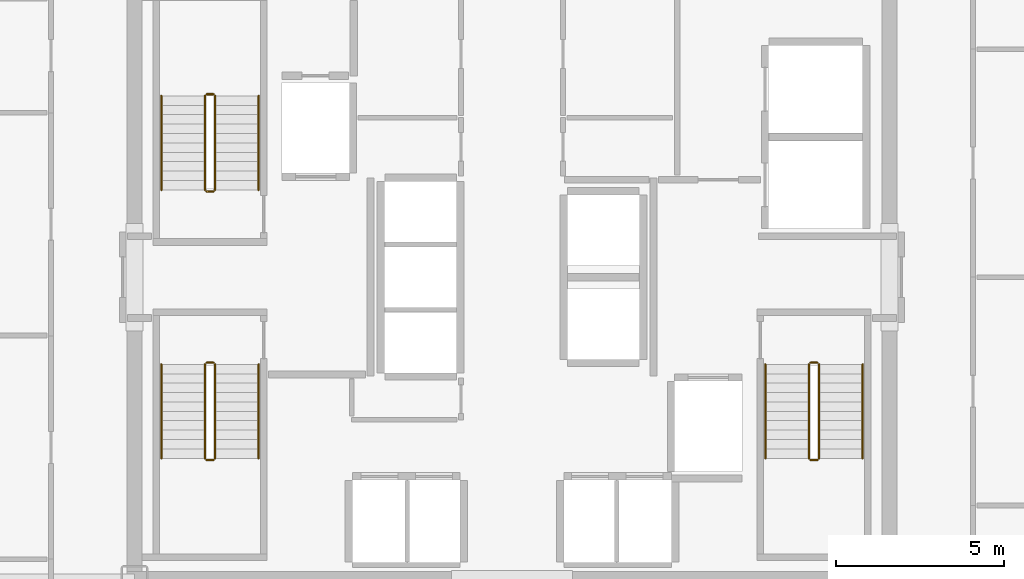
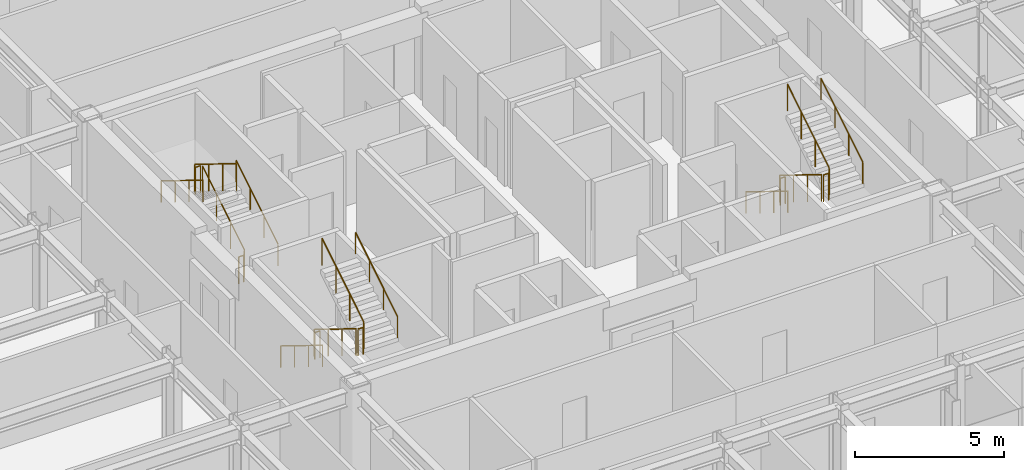
# One storey, part 21 of 21: 18 railings.
"""IFC4 building model written with IfcOpenShell, lengths in metres."""

import ifcopenshell
import ifcopenshell.guid

model = None  # the IFC model being written
_history = None  # IfcOwnerHistory: only IFC2X3 demands one
_inside = {}  # id of a spatial element -> (the spatial element, [elements in it])
_under = {}  # id of a project, library or spatial element -> (it, [spatial elements below it])
_declared = {}  # id of a project -> (the project, [libraries it declares])
_typed = {}  # id of a type object -> (the type object, [elements of that type])
_made_of = {}  # id of a material, layer set ... -> (it, [elements and type objects made of it])


def new_model(schema):
    """Start an empty IFC model of exactly this schema.

    Asked for "IFC4X3", IfcOpenShell would pick the latest addendum, in which some entities
    have other attributes; the version numbers below select the first issue.
    IFC2X3 requires an IfcOwnerHistory on every rooted entity: one is made here for all.
    """
    global model, _history
    if schema == "IFC4X3":
        model = ifcopenshell.file(schema_version=(4, 3, 0, 0))
    else:
        model = ifcopenshell.file(schema=schema)
    _inside.clear()
    _under.clear()
    _declared.clear()
    _typed.clear()
    _made_of.clear()
    _history = None
    if model.schema == "IFC2X3":
        org = make("IfcOrganization", Name="unknown")
        user = make(
            "IfcPersonAndOrganization",
            ThePerson=make("IfcPerson", FamilyName="unknown"),
            TheOrganization=org,
        )
        app = make(
            "IfcApplication",
            ApplicationDeveloper=org,
            Version="unknown",
            ApplicationFullName="unknown",
            ApplicationIdentifier="unknown",
        )
        _history = make(
            "IfcOwnerHistory",
            OwningUser=user,
            OwningApplication=app,
            ChangeAction="ADDED",
            CreationDate=0,
        )
    return model


def make(cls, **values):
    """One entity of the class cls with the attributes given. An attribute that is None is left unset."""
    return model.create_entity(
        cls, **{name: value for name, value in values.items() if value is not None}
    )


def rooted(cls, **values):
    """An entity with a GlobalId (a new one), such as an element, a storey or a relation."""
    return make(cls, GlobalId=ifcopenshell.guid.new(), OwnerHistory=_history, **values)


def si_unit(unit_type, name, prefix=None):
    """IfcSIUnit, for example si_unit("LENGTHUNIT", "METRE", prefix="MILLI")."""
    return make("IfcSIUnit", UnitType=unit_type, Prefix=prefix, Name=name)


def assignment(units):
    """IfcUnitAssignment: the units of a project."""
    return None if units is None else make("IfcUnitAssignment", Units=units)


def point(xyz):
    """IfcCartesianPoint."""
    return None if xyz is None else make("IfcCartesianPoint", Coordinates=xyz)


def direction(xyz):
    """IfcDirection."""
    return None if xyz is None else make("IfcDirection", DirectionRatios=xyz)


def frame(location, z_axis=None, x_axis=None):
    """IfcAxis2Placement3D, a coordinate frame: its origin and axes. An axis left out is left unset."""
    return make(
        "IfcAxis2Placement3D",
        Location=point(location),
        Axis=direction(z_axis),
        RefDirection=direction(x_axis),
    )


def frame_2d(location, x_axis=None):
    """IfcAxis2Placement2D, a coordinate frame in the plane: its origin and x axis."""
    return make(
        "IfcAxis2Placement2D", Location=point(location), RefDirection=direction(x_axis)
    )


def origin():
    """The frame at (0, 0, 0) with its axes left unset."""
    return frame((0.0, 0.0, 0.0))


def origin_2d():
    """The frame at (0, 0) in the plane with its x axis left unset."""
    return frame_2d((0.0, 0.0))


def place(relative_to, where):
    """IfcLocalPlacement: puts the frame where relative to a parent placement (None: the world)."""
    return make(
        "IfcLocalPlacement", PlacementRelTo=relative_to, RelativePlacement=where
    )


def context(
    kind, dimensions, precision=None, world=None, true_north=None, identifier=None
):
    """IfcGeometricRepresentationContext, for example the 3D "Model" context."""
    return make(
        "IfcGeometricRepresentationContext",
        ContextIdentifier=identifier,
        ContextType=kind,
        CoordinateSpaceDimension=dimensions,
        Precision=precision,
        WorldCoordinateSystem=world,
        TrueNorth=true_north,
    )


def subcontext(parent, identifier, kind, view, scale=None):
    """IfcGeometricRepresentationSubContext, for example "Body" below "Model"."""
    return make(
        "IfcGeometricRepresentationSubContext",
        ContextIdentifier=identifier,
        ContextType=kind,
        ParentContext=parent,
        TargetScale=scale,
        TargetView=view,
    )


def project(units=None, contexts=None):
    """IfcProject with its units and contexts."""
    return rooted(
        "IfcProject",
        Name="project",
        RepresentationContexts=contexts,
        UnitsInContext=assignment(units),
    )


def spatial(cls, under=None, at=None, **own):
    """A site, building, storey or space (cls), placed at a placement, below another one or the project."""
    s = rooted(cls, ObjectPlacement=at, **own)
    if under is not None:
        _under.setdefault(under.id(), (under, []))[1].append(s)
    return s


def profile(cls, at=None, kind="AREA", **sizes):
    """A parametric profile (cls). Its sizes go by their IFC names, for example OverallWidth=200.0."""
    return make(cls, ProfileType=kind, Position=at, **sizes)


def circle(**sizes):
    """IfcCircleProfileDef."""
    return profile("IfcCircleProfileDef", **sizes)


def extrude(swept, where, along, depth):
    """IfcExtrudedAreaSolid: the profile swept, set in the frame where, extruded along a direction by depth."""
    return make(
        "IfcExtrudedAreaSolid",
        SweptArea=swept,
        Position=where,
        ExtrudedDirection=direction(along),
        Depth=depth,
    )


def shape(context_of_items, identifier, shape_type, items):
    """IfcShapeRepresentation: the items that make up one representation, for example the "Body"."""
    return make(
        "IfcShapeRepresentation",
        ContextOfItems=context_of_items,
        RepresentationIdentifier=identifier,
        RepresentationType=shape_type,
        Items=items,
    )


def material(Name=None, Category=None):
    """IfcMaterial."""
    return make("IfcMaterial", Name=Name, Category=Category)


def made_of(thing, what):
    """Note that an element or type object is made of a material, layer set ...; save() writes the relation."""
    if what is not None:
        _made_of.setdefault(what.id(), (what, []))[1].append(thing)
    return thing


def type_object(cls, material=None, **own):
    """A type object (cls), such as IfcWallType, which elements share."""
    return made_of(rooted(cls, **own), material)


def element(
    cls,
    number,
    at=None,
    inside=None,
    cuts=None,
    type_object=None,
    material=None,
    context=None,
    identifier="Body",
    shape_type=None,
    held_by="IfcProductDefinitionShape",
    body=None,
    shapes=None,
    **own,
):
    """One element of the class cls, such as IfcWall. Its Tag is "e" and its number.

    at: its placement. inside: the storey or other place that contains it. cuts: it is an
    opening in that element (IfcRelVoidsElement). A single representation is given by context,
    identifier, shape_type and body (its items); several are given by shapes. held_by: the class
    of the entity that holds the representations. save() writes the other relations.
    """
    e = rooted(cls, Tag="e%d" % number, ObjectPlacement=at, **own)
    if body is not None:
        shapes = [shape(context, identifier, shape_type, body)]
    if shapes is not None:
        e.Representation = make(held_by, Representations=shapes)
    if inside is not None:
        _inside.setdefault(inside.id(), (inside, []))[1].append(e)
    if cuts is not None:
        rooted(
            "IfcRelVoidsElement", RelatingBuildingElement=cuts, RelatedOpeningElement=e
        )
    if type_object is not None:
        _typed.setdefault(type_object.id(), (type_object, []))[1].append(e)
    return made_of(e, material)


def aggregate(whole, parts):
    """IfcRelAggregates: a whole, such as a stair, and the parts it consists of."""
    return rooted("IfcRelAggregates", RelatingObject=whole, RelatedObjects=parts)


def save(model, path):
    """Write the relations noted so far, then the file.

    IfcRelAggregates (storeys below a building ...), IfcRelContainedInSpatialStructure (elements
    in a storey), IfcRelDefinesByType, IfcRelAssociatesMaterial and IfcRelDeclares: one each for
    every whole, place, type object, material and project.
    """
    for whole, parts in _under.values():
        aggregate(whole, parts)
    for where, things in _inside.values():
        rooted(
            "IfcRelContainedInSpatialStructure",
            RelatedElements=things,
            RelatingStructure=where,
        )
    for kind, things in _typed.values():
        rooted("IfcRelDefinesByType", RelatedObjects=things, RelatingType=kind)
    for what, things in _made_of.values():
        rooted("IfcRelAssociatesMaterial", RelatedObjects=things, RelatingMaterial=what)
    for by, libraries in _declared.values():
        rooted("IfcRelDeclares", RelatingContext=by, RelatedDefinitions=libraries)
    model.write(path)


model = new_model("IFC4")

# Units and contexts
model_context = context("Model", 3, precision=1e-05, world=origin(), true_north=direction((0.0, 1.0)))
body_context = subcontext(model_context, "Body", "Model", "MODEL_VIEW")
ifc_project = project(units=[si_unit("LENGTHUNIT", "METRE"), si_unit("AREAUNIT", "SQUARE_METRE"), si_unit("VOLUMEUNIT", "CUBIC_METRE"), si_unit("PLANEANGLEUNIT", "RADIAN"), si_unit("MASSUNIT", "GRAM", prefix="KILO")], contexts=[model_context])

# Site, building, storey
site_placement = place(None, origin())
site = spatial("IfcSite", under=ifc_project, at=site_placement, CompositionType="ELEMENT")
building_placement = place(site_placement, origin())
building = spatial("IfcBuilding", under=site, at=building_placement, Name="Nefas-Gora Pilgrimage Tower", CompositionType="ELEMENT")
storey_placement = place(building_placement, frame((0.0, 0.0, 206.60009765625)))
storey = spatial("IfcBuildingStorey", under=building, at=storey_placement, Name="L51", CompositionType="ELEMENT", Elevation=206.60009765625)

# Railings
ifc_material_1 = material(Name="Painted galvanised steel", Category="steel")
railing_type_1 = type_object("IfcRailingType", Name="RLG-STR-GUARD-1100", PredefinedType="GUARDRAIL", material=ifc_material_1)
railing_1_placement = place(storey_placement, frame((-8.85009765625, 2.60009765625, 0.172607421875)))
element("IfcRailing", 1, at=railing_1_placement, inside=storey, type_object=railing_type_1, Name="L51 ST-01 stair guard 1", PredefinedType="GUARDRAIL", context=body_context, shape_type="SweptSolid", body=[
    extrude(circle(Radius=0.02392578125, at=origin_2d()), frame((0.0, 0.0, 1.09619140625), z_axis=(0.0, 0.851069175582, 0.525053576669), x_axis=(-1.0, 0.0, 0.0)), (0.0, 0.0, 1.0), 3.289794921875),
    extrude(circle(Radius=0.02099609375, at=origin_2d()), origin(), (0.0, 0.0, 1.0), 1.072021484375),
    extrude(circle(Radius=0.02099609375, at=origin_2d()), frame((0.0, 0.933349609375, 0.57568359375)), (0.0, 0.0, 1.0), 1.072021484375),
    extrude(circle(Radius=0.02099609375, at=origin_2d()), frame((0.0, 1.866455078125, 1.151611328125)), (0.0, 0.0, 1.0), 1.072021484375),
    extrude(circle(Radius=0.02099609375, at=origin_2d()), frame((0.0, 2.7998046875, 1.727294921875)), (0.0, 0.0, 1.0), 1.072021484375),
])
railing_2_placement = place(storey_placement, frame((-8.89990234375, 5.449951171875, 1.89990234375)))
element("IfcRailing", 2, at=railing_2_placement, inside=storey, type_object=railing_type_1, Name="L51 ST-01 stair guard 2", PredefinedType="GUARDRAIL", context=body_context, shape_type="SweptSolid", body=[
    extrude(circle(Radius=0.02392578125, at=origin_2d()), frame((0.0, 0.0, 1.09619140625), z_axis=(-1.0, 0.0, 0.0), x_axis=(0.0, -1.0, 0.0)), (0.0, 0.0, 1.0), 0.2001953125),
    extrude(circle(Radius=0.02099609375, at=origin_2d()), origin(), (0.0, 0.0, 1.0), 1.072021484375),
    extrude(circle(Radius=0.02099609375, at=origin_2d()), frame((-0.2001953125, 0.0, 0.0)), (0.0, 0.0, 1.0), 1.072021484375),
])
railing_3_placement = place(storey_placement, frame((-9.14990234375, 5.39990234375, 2.072509765625)))
element("IfcRailing", 3, at=railing_3_placement, inside=storey, type_object=railing_type_1, Name="L51 ST-01 stair guard 3", PredefinedType="GUARDRAIL", context=body_context, shape_type="SweptSolid", body=[
    extrude(circle(Radius=0.02392578125, at=origin_2d()), frame((0.0, 0.0, 1.09619140625), z_axis=(0.0, -0.851069175582, 0.525053576669), x_axis=(1.0, 0.0, 0.0)), (0.0, 0.0, 1.0), 3.289794921875),
    extrude(circle(Radius=0.02099609375, at=origin_2d()), origin(), (0.0, 0.0, 1.0), 1.072021484375),
    extrude(circle(Radius=0.02099609375, at=origin_2d()), frame((0.0, -0.933349609375, 0.57568359375)), (0.0, 0.0, 1.0), 1.072021484375),
    extrude(circle(Radius=0.02099609375, at=origin_2d()), frame((0.0, -1.866455078125, 1.151611328125)), (0.0, 0.0, 1.0), 1.072021484375),
    extrude(circle(Radius=0.02099609375, at=origin_2d()), frame((0.0, -2.7998046875, 1.727294921875)), (0.0, 0.0, 1.0), 1.072021484375),
])
railing_4_placement = place(storey_placement, frame((-8.89990234375, 2.550048828125, 0.0)))
element("IfcRailing", 4, at=railing_4_placement, inside=storey, type_object=railing_type_1, Name="L51 ST-01 stair guard 4", PredefinedType="GUARDRAIL", context=body_context, shape_type="SweptSolid", body=[
    extrude(circle(Radius=0.02392578125, at=origin_2d()), frame((0.0, 0.0, 1.09619140625), z_axis=(-1.0, 0.0, 0.0), x_axis=(0.0, -1.0, 0.0)), (0.0, 0.0, 1.0), 0.2001953125),
    extrude(circle(Radius=0.02099609375, at=origin_2d()), origin(), (0.0, 0.0, 1.0), 1.072021484375),
    extrude(circle(Radius=0.02099609375, at=origin_2d()), frame((-0.2001953125, 0.0, 0.0)), (0.0, 0.0, 1.0), 1.072021484375),
])
railing_5_placement = place(storey_placement, frame((8.85009765625, -2.60009765625, 0.172607421875)))
element("IfcRailing", 5, at=railing_5_placement, inside=storey, type_object=railing_type_1, Name="L51 ST-02 stair guard 1", PredefinedType="GUARDRAIL", context=body_context, shape_type="SweptSolid", body=[
    extrude(circle(Radius=0.02392578125, at=origin_2d()), frame((0.0, 0.0, 1.09619140625), z_axis=(0.0, -0.851069175582, 0.525053576669), x_axis=(1.0, 0.0, 0.0)), (0.0, 0.0, 1.0), 3.289794921875),
    extrude(circle(Radius=0.02099609375, at=origin_2d()), origin(), (0.0, 0.0, 1.0), 1.072021484375),
    extrude(circle(Radius=0.02099609375, at=origin_2d()), frame((0.0, -0.933349609375, 0.57568359375)), (0.0, 0.0, 1.0), 1.072021484375),
    extrude(circle(Radius=0.02099609375, at=origin_2d()), frame((0.0, -1.866455078125, 1.151611328125)), (0.0, 0.0, 1.0), 1.072021484375),
    extrude(circle(Radius=0.02099609375, at=origin_2d()), frame((0.0, -2.7998046875, 1.727294921875)), (0.0, 0.0, 1.0), 1.072021484375),
])
railing_6_placement = place(storey_placement, frame((8.89990234375, -5.449951171875, 1.89990234375)))
element("IfcRailing", 6, at=railing_6_placement, inside=storey, type_object=railing_type_1, Name="L51 ST-02 stair guard 2", PredefinedType="GUARDRAIL", context=body_context, shape_type="SweptSolid", body=[
    extrude(circle(Radius=0.02392578125, at=origin_2d()), frame((0.0, 0.0, 1.09619140625), z_axis=(1.0, 0.0, 0.0), x_axis=(0.0, 1.0, 0.0)), (0.0, 0.0, 1.0), 0.2001953125),
    extrude(circle(Radius=0.02099609375, at=origin_2d()), origin(), (0.0, 0.0, 1.0), 1.072021484375),
    extrude(circle(Radius=0.02099609375, at=origin_2d()), frame((0.2001953125, 0.0, 0.0)), (0.0, 0.0, 1.0), 1.072021484375),
])
railing_7_placement = place(storey_placement, frame((9.14990234375, -5.39990234375, 2.072509765625)))
element("IfcRailing", 7, at=railing_7_placement, inside=storey, type_object=railing_type_1, Name="L51 ST-02 stair guard 3", PredefinedType="GUARDRAIL", context=body_context, shape_type="SweptSolid", body=[
    extrude(circle(Radius=0.02392578125, at=origin_2d()), frame((0.0, 0.0, 1.09619140625), z_axis=(0.0, 0.851069175582, 0.525053576669), x_axis=(-1.0, 0.0, 0.0)), (0.0, 0.0, 1.0), 3.289794921875),
    extrude(circle(Radius=0.02099609375, at=origin_2d()), origin(), (0.0, 0.0, 1.0), 1.072021484375),
    extrude(circle(Radius=0.02099609375, at=origin_2d()), frame((0.0, 0.933349609375, 0.57568359375)), (0.0, 0.0, 1.0), 1.072021484375),
    extrude(circle(Radius=0.02099609375, at=origin_2d()), frame((0.0, 1.866455078125, 1.151611328125)), (0.0, 0.0, 1.0), 1.072021484375),
    extrude(circle(Radius=0.02099609375, at=origin_2d()), frame((0.0, 2.7998046875, 1.727294921875)), (0.0, 0.0, 1.0), 1.072021484375),
])
railing_8_placement = place(storey_placement, frame((8.89990234375, -2.550048828125, 0.0)))
element("IfcRailing", 8, at=railing_8_placement, inside=storey, type_object=railing_type_1, Name="L51 ST-02 stair guard 4", PredefinedType="GUARDRAIL", context=body_context, shape_type="SweptSolid", body=[
    extrude(circle(Radius=0.02392578125, at=origin_2d()), frame((0.0, 0.0, 1.09619140625), z_axis=(1.0, 0.0, 0.0), x_axis=(0.0, 1.0, 0.0)), (0.0, 0.0, 1.0), 0.2001953125),
    extrude(circle(Radius=0.02099609375, at=origin_2d()), origin(), (0.0, 0.0, 1.0), 1.072021484375),
    extrude(circle(Radius=0.02099609375, at=origin_2d()), frame((0.2001953125, 0.0, 0.0)), (0.0, 0.0, 1.0), 1.072021484375),
])
railing_9_placement = place(storey_placement, frame((-9.14990234375, -2.60009765625, 0.172607421875)))
element("IfcRailing", 9, at=railing_9_placement, inside=storey, type_object=railing_type_1, Name="L51 ST-03 stair guard 1", PredefinedType="GUARDRAIL", context=body_context, shape_type="SweptSolid", body=[
    extrude(circle(Radius=0.02392578125, at=origin_2d()), frame((0.0, 0.0, 1.09619140625), z_axis=(0.0, -0.851069175582, 0.525053576669), x_axis=(1.0, 0.0, 0.0)), (0.0, 0.0, 1.0), 3.289794921875),
    extrude(circle(Radius=0.02099609375, at=origin_2d()), origin(), (0.0, 0.0, 1.0), 1.072021484375),
    extrude(circle(Radius=0.02099609375, at=origin_2d()), frame((0.0, -0.933349609375, 0.57568359375)), (0.0, 0.0, 1.0), 1.072021484375),
    extrude(circle(Radius=0.02099609375, at=origin_2d()), frame((0.0, -1.866455078125, 1.151611328125)), (0.0, 0.0, 1.0), 1.072021484375),
    extrude(circle(Radius=0.02099609375, at=origin_2d()), frame((0.0, -2.7998046875, 1.727294921875)), (0.0, 0.0, 1.0), 1.072021484375),
])
railing_10_placement = place(storey_placement, frame((-9.10009765625, -5.449951171875, 1.89990234375)))
element("IfcRailing", 10, at=railing_10_placement, inside=storey, type_object=railing_type_1, Name="L51 ST-03 stair guard 2", PredefinedType="GUARDRAIL", context=body_context, shape_type="SweptSolid", body=[
    extrude(circle(Radius=0.02392578125, at=origin_2d()), frame((0.0, 0.0, 1.09619140625), z_axis=(1.0, 0.0, 0.0), x_axis=(0.0, 1.0, 0.0)), (0.0, 0.0, 1.0), 0.2001953125),
    extrude(circle(Radius=0.02099609375, at=origin_2d()), origin(), (0.0, 0.0, 1.0), 1.072021484375),
    extrude(circle(Radius=0.02099609375, at=origin_2d()), frame((0.2001953125, 0.0, 0.0)), (0.0, 0.0, 1.0), 1.072021484375),
])
railing_11_placement = place(storey_placement, frame((-8.85009765625, -5.39990234375, 2.072509765625)))
element("IfcRailing", 11, at=railing_11_placement, inside=storey, type_object=railing_type_1, Name="L51 ST-03 stair guard 3", PredefinedType="GUARDRAIL", context=body_context, shape_type="SweptSolid", body=[
    extrude(circle(Radius=0.02392578125, at=origin_2d()), frame((0.0, 0.0, 1.09619140625), z_axis=(0.0, 0.851069175582, 0.525053576669), x_axis=(-1.0, 0.0, 0.0)), (0.0, 0.0, 1.0), 3.289794921875),
    extrude(circle(Radius=0.02099609375, at=origin_2d()), origin(), (0.0, 0.0, 1.0), 1.072021484375),
    extrude(circle(Radius=0.02099609375, at=origin_2d()), frame((0.0, 0.933349609375, 0.57568359375)), (0.0, 0.0, 1.0), 1.072021484375),
    extrude(circle(Radius=0.02099609375, at=origin_2d()), frame((0.0, 1.866455078125, 1.151611328125)), (0.0, 0.0, 1.0), 1.072021484375),
    extrude(circle(Radius=0.02099609375, at=origin_2d()), frame((0.0, 2.7998046875, 1.727294921875)), (0.0, 0.0, 1.0), 1.072021484375),
])
railing_12_placement = place(storey_placement, frame((-9.10009765625, -2.550048828125, 0.0)))
element("IfcRailing", 12, at=railing_12_placement, inside=storey, type_object=railing_type_1, Name="L51 ST-03 stair guard 4", PredefinedType="GUARDRAIL", context=body_context, shape_type="SweptSolid", body=[
    extrude(circle(Radius=0.02392578125, at=origin_2d()), frame((0.0, 0.0, 1.09619140625), z_axis=(1.0, 0.0, 0.0), x_axis=(0.0, 1.0, 0.0)), (0.0, 0.0, 1.0), 0.2001953125),
    extrude(circle(Radius=0.02099609375, at=origin_2d()), origin(), (0.0, 0.0, 1.0), 1.072021484375),
    extrude(circle(Radius=0.02099609375, at=origin_2d()), frame((0.2001953125, 0.0, 0.0)), (0.0, 0.0, 1.0), 1.072021484375),
])
ifc_material_2 = material(Name="Brushed stainless steel", Category="steel")
railing_type_2 = type_object("IfcRailingType", Name="RLG-STR-HAND-900", PredefinedType="HANDRAIL", material=ifc_material_2)
railing_13_placement = place(storey_placement, frame((-7.550048828125, 2.60009765625, 0.172607421875)))
element("IfcRailing", 13, at=railing_13_placement, inside=storey, type_object=railing_type_2, Name="L51 ST-01 stair handrail 1", PredefinedType="HANDRAIL", context=body_context, shape_type="SweptSolid", body=[
    extrude(circle(Radius=0.02392578125, at=origin_2d()), frame((0.0, 0.0, 0.8759765625), z_axis=(0.0, 0.851069175582, 0.525053576669), x_axis=(-1.0, 0.0, 0.0)), (0.0, 0.0, 1.0), 3.289794921875),
    extrude(circle(Radius=0.02099609375, at=origin_2d()), origin(), (0.0, 0.0, 1.0), 0.851806640625),
    extrude(circle(Radius=0.02099609375, at=origin_2d()), frame((0.0, 0.933349609375, 0.57568359375)), (0.0, 0.0, 1.0), 0.851806640625),
    extrude(circle(Radius=0.02099609375, at=origin_2d()), frame((0.0, 1.866455078125, 1.151611328125)), (0.0, 0.0, 1.0), 0.851806640625),
    extrude(circle(Radius=0.02099609375, at=origin_2d()), frame((0.0, 2.7998046875, 1.727294921875)), (0.0, 0.0, 1.0), 0.851806640625),
])
for number, where, name in (
    (14, (-10.449951171875, 5.39990234375, 2.072509765625), "L51 ST-01 stair handrail 2"),
    (15, (7.550048828125, -2.60009765625, 0.172607421875), "L51 ST-02 stair handrail 1"),
):
    element("IfcRailing", number, at=place(storey_placement, frame(where)), inside=storey, type_object=railing_type_2, Name=name, PredefinedType="HANDRAIL", context=body_context, shape_type="SweptSolid", body=[
        extrude(circle(Radius=0.02392578125, at=origin_2d()), frame((0.0, 0.0, 0.8759765625), z_axis=(0.0, -0.851069175582, 0.525053576669), x_axis=(1.0, 0.0, 0.0)), (0.0, 0.0, 1.0), 3.289794921875),
        extrude(circle(Radius=0.02099609375, at=origin_2d()), origin(), (0.0, 0.0, 1.0), 0.851806640625),
        extrude(circle(Radius=0.02099609375, at=origin_2d()), frame((0.0, -0.933349609375, 0.57568359375)), (0.0, 0.0, 1.0), 0.851806640625),
        extrude(circle(Radius=0.02099609375, at=origin_2d()), frame((0.0, -1.866455078125, 1.151611328125)), (0.0, 0.0, 1.0), 0.851806640625),
        extrude(circle(Radius=0.02099609375, at=origin_2d()), frame((0.0, -2.7998046875, 1.727294921875)), (0.0, 0.0, 1.0), 0.851806640625),
    ])
railing_14_placement = place(storey_placement, frame((10.449951171875, -5.39990234375, 2.072509765625)))
element("IfcRailing", 16, at=railing_14_placement, inside=storey, type_object=railing_type_2, Name="L51 ST-02 stair handrail 2", PredefinedType="HANDRAIL", context=body_context, shape_type="SweptSolid", body=[
    extrude(circle(Radius=0.02392578125, at=origin_2d()), frame((0.0, 0.0, 0.8759765625), z_axis=(0.0, 0.851069175582, 0.525053576669), x_axis=(-1.0, 0.0, 0.0)), (0.0, 0.0, 1.0), 3.289794921875),
    extrude(circle(Radius=0.02099609375, at=origin_2d()), origin(), (0.0, 0.0, 1.0), 0.851806640625),
    extrude(circle(Radius=0.02099609375, at=origin_2d()), frame((0.0, 0.933349609375, 0.57568359375)), (0.0, 0.0, 1.0), 0.851806640625),
    extrude(circle(Radius=0.02099609375, at=origin_2d()), frame((0.0, 1.866455078125, 1.151611328125)), (0.0, 0.0, 1.0), 0.851806640625),
    extrude(circle(Radius=0.02099609375, at=origin_2d()), frame((0.0, 2.7998046875, 1.727294921875)), (0.0, 0.0, 1.0), 0.851806640625),
])
railing_15_placement = place(storey_placement, frame((-10.449951171875, -2.60009765625, 0.172607421875)))
element("IfcRailing", 17, at=railing_15_placement, inside=storey, type_object=railing_type_2, Name="L51 ST-03 stair handrail 1", PredefinedType="HANDRAIL", context=body_context, shape_type="SweptSolid", body=[
    extrude(circle(Radius=0.02392578125, at=origin_2d()), frame((0.0, 0.0, 0.8759765625), z_axis=(0.0, -0.851069175582, 0.525053576669), x_axis=(1.0, 0.0, 0.0)), (0.0, 0.0, 1.0), 3.289794921875),
    extrude(circle(Radius=0.02099609375, at=origin_2d()), origin(), (0.0, 0.0, 1.0), 0.851806640625),
    extrude(circle(Radius=0.02099609375, at=origin_2d()), frame((0.0, -0.933349609375, 0.57568359375)), (0.0, 0.0, 1.0), 0.851806640625),
    extrude(circle(Radius=0.02099609375, at=origin_2d()), frame((0.0, -1.866455078125, 1.151611328125)), (0.0, 0.0, 1.0), 0.851806640625),
    extrude(circle(Radius=0.02099609375, at=origin_2d()), frame((0.0, -2.7998046875, 1.727294921875)), (0.0, 0.0, 1.0), 0.851806640625),
])
railing_16_placement = place(storey_placement, frame((-7.550048828125, -5.39990234375, 2.072509765625)))
element("IfcRailing", 18, at=railing_16_placement, inside=storey, type_object=railing_type_2, Name="L51 ST-03 stair handrail 2", PredefinedType="HANDRAIL", context=body_context, shape_type="SweptSolid", body=[
    extrude(circle(Radius=0.02392578125, at=origin_2d()), frame((0.0, 0.0, 0.8759765625), z_axis=(0.0, 0.851069175582, 0.525053576669), x_axis=(-1.0, 0.0, 0.0)), (0.0, 0.0, 1.0), 3.289794921875),
    extrude(circle(Radius=0.02099609375, at=origin_2d()), origin(), (0.0, 0.0, 1.0), 0.851806640625),
    extrude(circle(Radius=0.02099609375, at=origin_2d()), frame((0.0, 0.933349609375, 0.57568359375)), (0.0, 0.0, 1.0), 0.851806640625),
    extrude(circle(Radius=0.02099609375, at=origin_2d()), frame((0.0, 1.866455078125, 1.151611328125)), (0.0, 0.0, 1.0), 0.851806640625),
    extrude(circle(Radius=0.02099609375, at=origin_2d()), frame((0.0, 2.7998046875, 1.727294921875)), (0.0, 0.0, 1.0), 0.851806640625),
])

save(model, "model.ifc")
